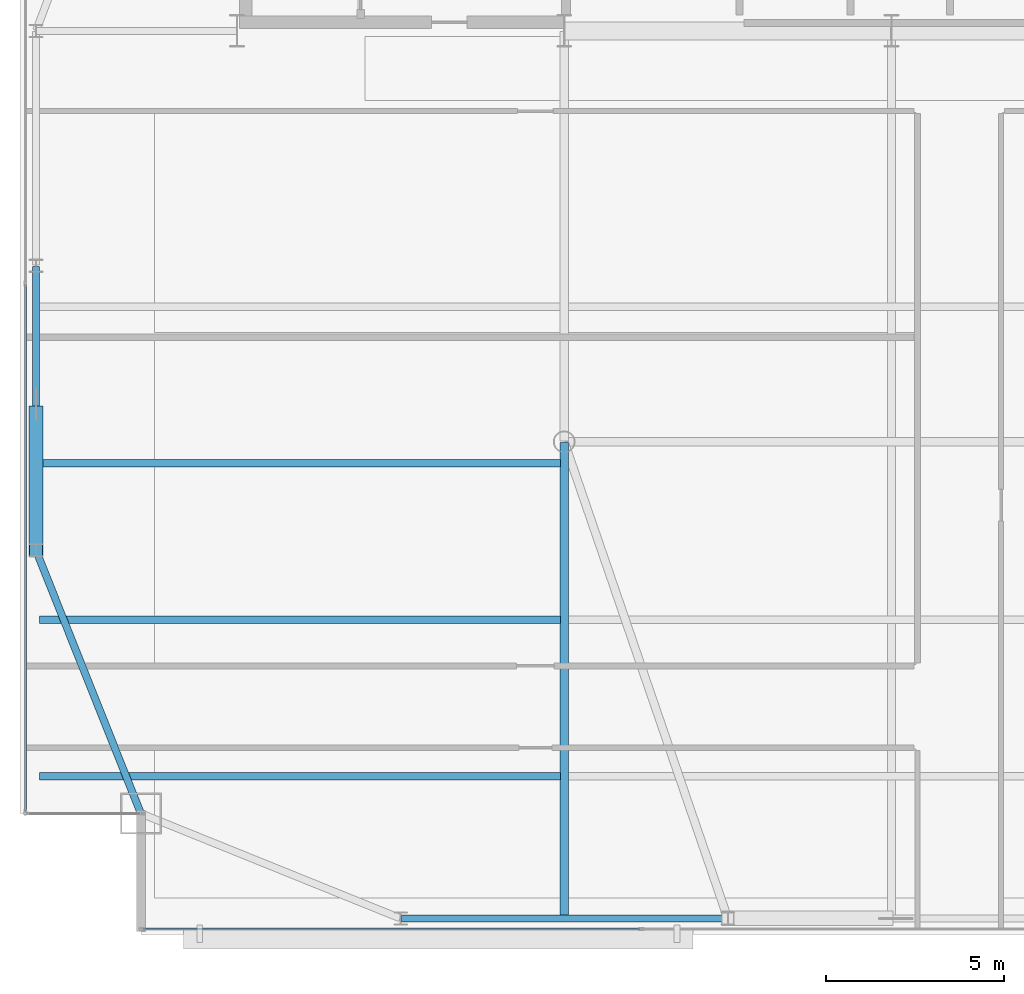
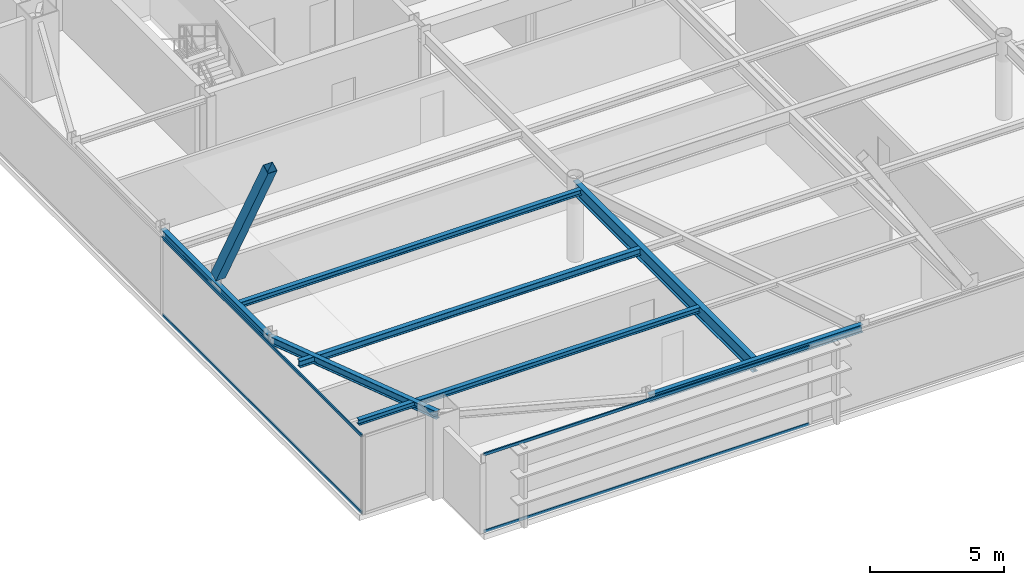
# One storey, part 5 of 27: 7 beams, 5 members, 2 elements without a shape of their own.
"""IFC4 building model written with IfcOpenShell, lengths in metres."""

from ifc_helpers import new_model, si_unit, direction, frame, origin, origin_2d, place, context, subcontext, project, spatial, hollow_rectangle, i_section, extrude, source, transform, mapped, material, layer, layer_set, material_profile, profile_set, type_object, type_shapes, element, aggregate, save


model = new_model("IFC4")

# Units and contexts
model_context = context("Model", 3, precision=1e-05, world=origin(), true_north=direction((0.0, 1.0)))
body_context = subcontext(model_context, "Body", "Model", "MODEL_VIEW")
ifc_project = project(units=[si_unit("LENGTHUNIT", "METRE"), si_unit("AREAUNIT", "SQUARE_METRE"), si_unit("VOLUMEUNIT", "CUBIC_METRE"), si_unit("PLANEANGLEUNIT", "RADIAN"), si_unit("MASSUNIT", "GRAM", prefix="KILO")], contexts=[model_context])

# Site, building, storey
site_placement = place(None, origin())
site = spatial("IfcSite", under=ifc_project, at=site_placement, CompositionType="ELEMENT")
building_placement = place(site_placement, origin())
building = spatial("IfcBuilding", under=site, at=building_placement, Name="Varnel Quay Broadcast Tower", CompositionType="ELEMENT")
storey_placement = place(building_placement, frame((0.0, 0.0, 243.199951171875)))
storey = spatial("IfcBuildingStorey", under=building, at=storey_placement, Name="L60", CompositionType="ELEMENT", Elevation=243.199951171875)

# Beams
ifc_material_1 = material(Name="Structural Steel CSA G40.21 350W", Category="steel")
ifc_material_profile_1 = material_profile(ifc_material_1, i_section(OverallWidth=0.205078125, OverallDepth=0.35400390625, WebThickness=0.009521484375, FlangeThickness=0.016845703125, FilletRadius=0.012939453125, at=origin_2d()), Name="W360X79")
ifc_profile_set_1 = profile_set([ifc_material_profile_1], Name="Structural Steel CSA G40.21 350W")
beam_type_1 = type_object("IfcBeamType", Name="Beam_W360X79", PredefinedType="SPANDREL", material=ifc_profile_set_1)
shared_shape_1 = source(origin(), body_context, "Body", "SweptSolid", [
    extrude(i_section(OverallWidth=0.205078125, OverallDepth=0.35400390625, WebThickness=0.009521484375, FlangeThickness=0.016845703125, FilletRadius=0.012939453125, at=origin_2d()), origin(), (0.0, 0.0, 1.0), 9.159912109375),
])
beam_1_placement = place(storey_placement, frame((20.219970703125, 10.64990234375, 3.373046875), z_axis=(1.0, 0.0, 0.0), x_axis=(0.0, 1.0, 0.0)))
element("IfcBeam", 1, at=beam_1_placement, inside=storey, type_object=beam_type_1, Name="L60 South Spandrel TC-S1-TC-S2", PredefinedType="SPANDREL", context=body_context, shape_type="MappedRepresentation", body=[
    mapped(shared_shape_1, transform((0.0, 0.0, 0.0), x_axis=(1.0, 0.0, 0.0), y_axis=(0.0, 1.0, 0.0), z_axis=(0.0, 0.0, 1.0), scale=1.0)),
])
shared_shape_2 = source(origin(), body_context, "Body", "SweptSolid", [
    extrude(i_section(OverallWidth=0.205078125, OverallDepth=0.35400390625, WebThickness=0.009521484375, FlangeThickness=0.016845703125, FilletRadius=0.012939453125, at=origin_2d()), origin(), (0.0, 0.0, 1.0), 7.92626953125),
])
beam_2_placement = place(storey_placement, frame((12.892578125, 13.61865234375, 3.373046875), z_axis=(-0.370296431883, 0.928913641053, 0.0), x_axis=(-0.928913641053, -0.370296431883, 0.0)))
element("IfcBeam", 2, at=beam_2_placement, inside=storey, type_object=beam_type_1, Name="L60 West Spandrel MC-SW-TC-W1", PredefinedType="SPANDREL", context=body_context, shape_type="MappedRepresentation", body=[
    mapped(shared_shape_2, transform((0.0, 0.0, 0.0), x_axis=(1.0, 0.0, 0.0), y_axis=(0.0, 1.0, 0.0), z_axis=(0.0, 0.0, 1.0), scale=1.0)),
])
shared_shape_3 = source(origin(), body_context, "Body", "SweptSolid", [
    extrude(i_section(OverallWidth=0.205078125, OverallDepth=0.35400390625, WebThickness=0.009521484375, FlangeThickness=0.016845703125, FilletRadius=0.012939453125, at=origin_2d()), origin(), (0.0, 0.0, 1.0), 7.9599609375),
])
type_shapes(beam_type_1, [shared_shape_1, shared_shape_2, shared_shape_3])
beam_3_placement = place(storey_placement, frame((9.949951171875, 21.02001953125, 3.373046875), z_axis=(0.0, 1.0, 0.0), x_axis=(-1.0, 0.0, 0.0)))
element("IfcBeam", 3, at=beam_3_placement, inside=storey, type_object=beam_type_1, Name="L60 West Spandrel TC-W1-TC-W2", PredefinedType="SPANDREL", context=body_context, shape_type="MappedRepresentation", body=[
    mapped(shared_shape_3, transform((0.0, 0.0, 0.0), x_axis=(1.0, 0.0, 0.0), y_axis=(0.0, 1.0, 0.0), z_axis=(0.0, 0.0, 1.0), scale=1.0)),
])
ifc_material_profile_2 = material_profile(ifc_material_1, i_section(OverallWidth=0.22998046875, OverallDepth=0.616943359375, WebThickness=0.01318359375, FlangeThickness=0.022216796875, FilletRadius=0.01611328125, at=origin_2d()), Name="W610X140")
ifc_profile_set_2 = profile_set([ifc_material_profile_2], Name="Structural Steel CSA G40.21 350W")
beam_type_2 = type_object("IfcBeamType", Name="Girder_W610X140", PredefinedType="BEAM", material=ifc_profile_set_2)
shared_shape_4 = source(origin(), body_context, "Body", "SweptSolid", [
    extrude(i_section(OverallWidth=0.22998046875, OverallDepth=0.616943359375, WebThickness=0.01318359375, FlangeThickness=0.022216796875, FilletRadius=0.01611328125, at=origin_2d()), origin(), (0.0, 0.0, 1.0), 13.360107421875),
])
type_shapes(beam_type_2, [shared_shape_4])
beam_4_placement = place(storey_placement, frame((24.800048828125, 10.669921875, 3.241455078125), z_axis=(0.0, 1.0, 0.0), x_axis=(-1.0, 0.0, 0.0)))
element("IfcBeam", 4, at=beam_4_placement, inside=storey, type_object=beam_type_2, Name="L60 N-S Joist Header IC-01S", PredefinedType="BEAM", context=body_context, shape_type="MappedRepresentation", body=[
    mapped(shared_shape_4, transform((0.0, 0.0, 0.0), x_axis=(1.0, 0.0, 0.0), y_axis=(0.0, 1.0, 0.0), z_axis=(0.0, 0.0, 1.0), scale=1.0)),
])
ifc_material_profile_3 = material_profile(ifc_material_1, i_section(OverallWidth=0.201904296875, OverallDepth=0.2470703125, WebThickness=0.00732421875, FlangeThickness=0.010986328125, FilletRadius=0.010986328125, at=origin_2d()), Name="W250X49")
ifc_profile_set_3 = profile_set([ifc_material_profile_3], Name="Structural Steel CSA G40.21 350W")
beam_type_3 = type_object("IfcBeamType", Name="Beam_W250X49", PredefinedType="JOIST", material=ifc_profile_set_3)
shared_shape_5 = source(origin(), body_context, "Body", "SweptSolid", [
    extrude(i_section(OverallWidth=0.201904296875, OverallDepth=0.2470703125, WebThickness=0.00732421875, FlangeThickness=0.010986328125, FilletRadius=0.010986328125, at=origin_2d()), origin(), (0.0, 0.0, 1.0), 14.642333984375),
])
type_shapes(beam_type_3, [shared_shape_5])
for number, where, z_axis, x_axis, name in (
    (5, (10.047607421875, 14.64990234375, 3.426513671875), (1.0, 0.0, 0.0), (0.0, 1.0, 0.0), "L60 West Floor Joist 1"),
    (6, (10.047607421875, 23.449951171875, 3.426513671875), (1.0, 0.0, 0.0), (0.0, 1.0, 0.0), "L60 West Floor Joist 3"),
):
    element("IfcBeam", number, at=place(storey_placement, frame(where, z_axis=z_axis, x_axis=x_axis)), inside=storey, type_object=beam_type_3, Name=name, PredefinedType="JOIST", context=body_context, shape_type="MappedRepresentation", body=[
        mapped(shared_shape_5, transform((0.0, 0.0, 0.0), x_axis=(1.0, 0.0, 0.0), y_axis=(0.0, 1.0, 0.0), z_axis=(0.0, 0.0, 1.0), scale=1.0)),
    ])
ifc_material_profile_4 = material_profile(ifc_material_1, i_section(OverallWidth=0.202880859375, OverallDepth=0.302978515625, WebThickness=0.007568359375, FlangeThickness=0.01318359375, FilletRadius=0.011962890625, at=origin_2d()), Name="W310X60")
ifc_profile_set_4 = profile_set([ifc_material_profile_4], Name="Structural Steel CSA G40.21 350W")
beam_type_4 = type_object("IfcBeamType", Name="Beam_W310X60", PredefinedType="JOIST", material=ifc_profile_set_4)
shared_shape_6 = source(origin(), body_context, "Body", "SweptSolid", [
    extrude(i_section(OverallWidth=0.202880859375, OverallDepth=0.302978515625, WebThickness=0.007568359375, FlangeThickness=0.01318359375, FilletRadius=0.011962890625, at=origin_2d()), origin(), (0.0, 0.0, 1.0), 14.642333984375),
])
type_shapes(beam_type_4, [shared_shape_6])
beam_5_placement = place(storey_placement, frame((10.047607421875, 19.050048828125, 3.3984375), z_axis=(1.0, 0.0, 0.0), x_axis=(0.0, 1.0, 0.0)))
element("IfcBeam", 7, at=beam_5_placement, inside=storey, type_object=beam_type_4, Name="L60 West Floor Joist 2", PredefinedType="JOIST", context=body_context, shape_type="MappedRepresentation", body=[
    mapped(shared_shape_6, transform((0.0, 0.0, 0.0), x_axis=(1.0, 0.0, 0.0), y_axis=(0.0, 1.0, 0.0), z_axis=(0.0, 0.0, 1.0), scale=1.0)),
])

# Member
ifc_material_profile_5 = material_profile(ifc_material_1, hollow_rectangle(XDim=0.406005859375, YDim=0.406005859375, WallThickness=0.01611328125, at=origin_2d()), Name="HSS406X406X16")
ifc_profile_set_5 = profile_set([ifc_material_profile_5], Name="Structural Steel CSA G40.21 350W")
member_type_1 = type_object("IfcMemberType", Name="Brace_HSS406X406X16", PredefinedType="BRACE", material=ifc_profile_set_5)
shared_shape_7 = source(origin(), body_context, "Body", "SweptSolid", [
    extrude(hollow_rectangle(XDim=0.406005859375, YDim=0.406005859375, WallThickness=0.01611328125, at=origin_2d()), origin(), (0.0, 0.0, 1.0), 8.191650390625),
])
type_shapes(member_type_1, [shared_shape_7])
member_1_placement = place(storey_placement, frame((9.949951171875, 24.873046875, 3.911865234375), z_axis=(0.0, -0.47280190134, 0.881168747794), x_axis=(1.0, 0.0, 0.0)))
element("IfcMember", 8, at=member_1_placement, inside=storey, type_object=member_type_1, Name="Zone 4 Mega-Brace W-FT3 Split Diag B2", PredefinedType="BRACE", context=body_context, shape_type="MappedRepresentation", body=[
    mapped(shared_shape_7, transform((0.0, 0.0, 0.0), x_axis=(1.0, 0.0, 0.0), y_axis=(0.0, 1.0, 0.0), z_axis=(0.0, 0.0, 1.0), scale=1.0)),
])

# Curtain wall, members
ifc_material_2 = material(Name="Anodised Bronze Aluminium 6063-T6", Category="aluminium")
ifc_layer = layer(ifc_material_2, 0.18994140625, Name="Anodised Bronze Aluminium 6063-T6")
ifc_layer_set = layer_set([ifc_layer], Name="Anodised Bronze Aluminium 6063-T6")
curtain_wall_type = type_object("IfcCurtainWallType", Name="CW_UpperTower", PredefinedType="NOTDEFINED", material=ifc_layer_set)
curtain_wall_1_placement = place(storey_placement, origin())
curtain_wall_1 = element("IfcCurtainWall", 9, at=curtain_wall_1_placement, inside=storey, type_object=curtain_wall_type, Name="L60 West Unitised Curtain Wall", PredefinedType="NOTDEFINED")
ifc_material_profile_6 = material_profile(ifc_material_2, hollow_rectangle(XDim=0.06005859375, YDim=0.125, WallThickness=0.0029296875, at=origin_2d()), Name="ALU60X125X3")
ifc_profile_set_6 = profile_set([ifc_material_profile_6], Name="Anodised Bronze Aluminium 6063-T6")
member_type_2 = type_object("IfcMemberType", Name="Tran_CWS-03", PredefinedType="USERDEFINED", material=ifc_profile_set_6)
shared_shape_8 = source(origin(), body_context, "Body", "SweptSolid", [
    extrude(hollow_rectangle(XDim=0.06005859375, YDim=0.125, WallThickness=0.0029296875, at=origin_2d()), origin(), (0.0, 0.0, 1.0), 14.802490234375),
])
member_2_placement = place(storey_placement, frame((9.64990234375, 13.6650390625, 0.030029296875), z_axis=(0.0, 1.0, 0.0), x_axis=(-1.0, 0.0, 0.0)))
member_2 = element("IfcMember", 10, at=member_2_placement, type_object=member_type_2, Name="CWS-03 transom 1.1", ObjectType="TRANSOM", PredefinedType="USERDEFINED", context=body_context, shape_type="MappedRepresentation", body=[
    mapped(shared_shape_8, transform((0.0, 0.0, 0.0), x_axis=(1.0, 0.0, 0.0), y_axis=(0.0, 1.0, 0.0), z_axis=(0.0, 0.0, 1.0), scale=1.0)),
])
member_3_placement = place(storey_placement, frame((9.64990234375, 13.6650390625, 3.52001953125), z_axis=(0.0, 1.0, 0.0), x_axis=(-1.0, 0.0, 0.0)))
member_3 = element("IfcMember", 11, at=member_3_placement, type_object=member_type_2, Name="CWS-03 transom 1.2", ObjectType="TRANSOM", PredefinedType="USERDEFINED", context=body_context, shape_type="MappedRepresentation", body=[
    mapped(shared_shape_8, transform((0.0, 0.0, 0.0), x_axis=(1.0, 0.0, 0.0), y_axis=(0.0, 1.0, 0.0), z_axis=(0.0, 0.0, 1.0), scale=1.0)),
])
aggregate(curtain_wall_1, [member_2, member_3])

curtain_wall_2_placement = place(storey_placement, origin())
curtain_wall_2 = element("IfcCurtainWall", 12, at=curtain_wall_2_placement, inside=storey, type_object=curtain_wall_type, Name="L60 South Unitised Curtain Wall 1", PredefinedType="NOTDEFINED")
shared_shape_9 = source(origin(), body_context, "Body", "SweptSolid", [
    extrude(hollow_rectangle(XDim=0.06005859375, YDim=0.125, WallThickness=0.0029296875, at=origin_2d()), origin(), (0.0, 0.0, 1.0), 13.968994140625),
])
type_shapes(member_type_2, [shared_shape_8, shared_shape_9])
member_4_placement = place(storey_placement, frame((12.965087890625, 10.35009765625, 0.030029296875), z_axis=(1.0, 0.0, 0.0), x_axis=(0.0, 1.0, 0.0)))
member_4 = element("IfcMember", 13, at=member_4_placement, type_object=member_type_2, Name="CWS-03 transom 1.1", ObjectType="TRANSOM", PredefinedType="USERDEFINED", context=body_context, shape_type="MappedRepresentation", body=[
    mapped(shared_shape_9, transform((0.0, 0.0, 0.0), x_axis=(1.0, 0.0, 0.0), y_axis=(0.0, 1.0, 0.0), z_axis=(0.0, 0.0, 1.0), scale=1.0)),
])
member_5_placement = place(storey_placement, frame((12.965087890625, 10.35009765625, 3.52001953125), z_axis=(1.0, 0.0, 0.0), x_axis=(0.0, 1.0, 0.0)))
member_5 = element("IfcMember", 14, at=member_5_placement, type_object=member_type_2, Name="CWS-03 transom 1.2", ObjectType="TRANSOM", PredefinedType="USERDEFINED", context=body_context, shape_type="MappedRepresentation", body=[
    mapped(shared_shape_9, transform((0.0, 0.0, 0.0), x_axis=(1.0, 0.0, 0.0), y_axis=(0.0, 1.0, 0.0), z_axis=(0.0, 0.0, 1.0), scale=1.0)),
])
aggregate(curtain_wall_2, [member_4, member_5])

save(model, "model.ifc")
